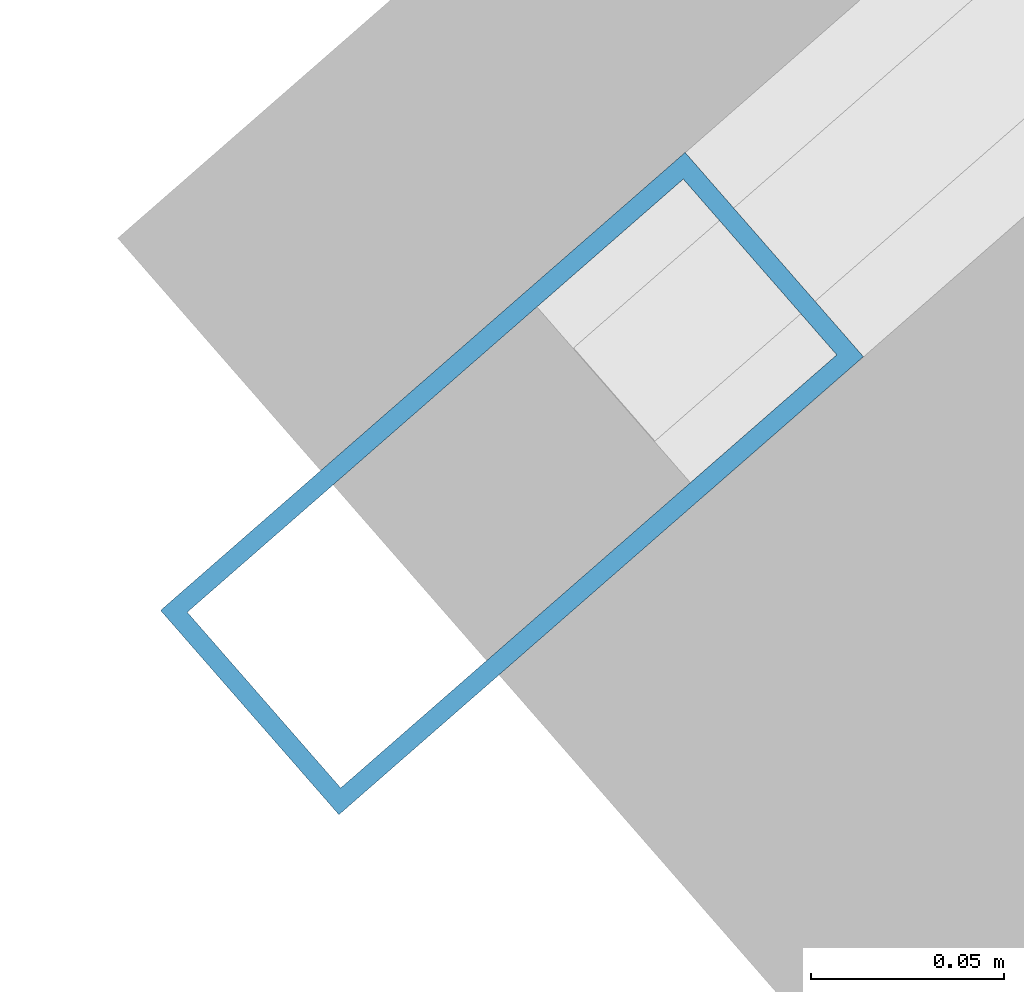
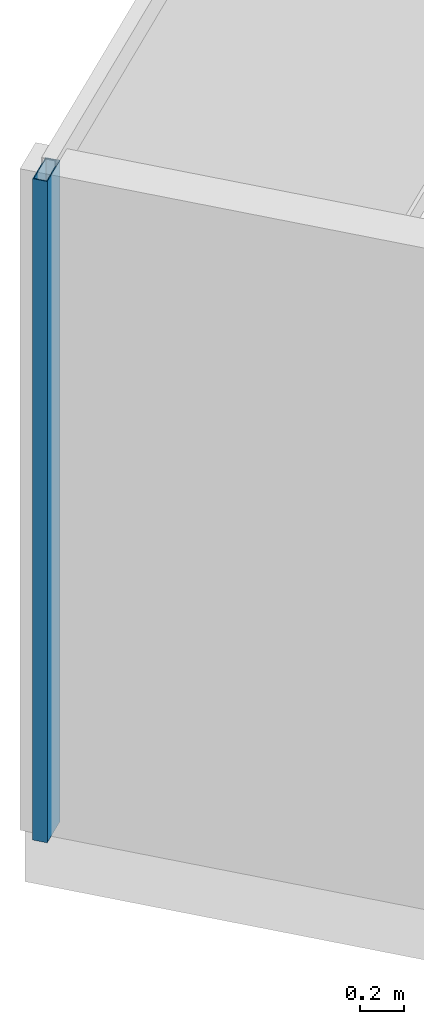
# One storey, part 7 of 24: 1 member, 1 element without a shape of its own.
"""IFC4 building model written with IfcOpenShell, lengths in metres."""

from ifc_helpers import new_model, si_unit, direction, frame, origin, origin_2d, place, context, subcontext, project, spatial, hollow_rectangle, extrude, source, transform, mapped, material, material_profile, profile_set, type_object, type_shapes, element, aggregate, save


model = new_model("IFC4")

# Units and contexts
model_context = context("Model", 3, precision=1e-05, world=origin(), true_north=direction((0.0, 1.0)))
body_context = subcontext(model_context, "Body", "Model", "MODEL_VIEW")
ifc_project = project(units=[si_unit("LENGTHUNIT", "METRE"), si_unit("AREAUNIT", "SQUARE_METRE"), si_unit("VOLUMEUNIT", "CUBIC_METRE"), si_unit("PLANEANGLEUNIT", "RADIAN"), si_unit("MASSUNIT", "GRAM", prefix="KILO")], contexts=[model_context])

# Site, building, storey
site_placement = place(None, origin())
site = spatial("IfcSite", under=ifc_project, at=site_placement, CompositionType="ELEMENT")
building_placement = place(site_placement, origin())
building = spatial("IfcBuilding", under=site, at=building_placement, Name="Krantzveldt Concourse Tower", CompositionType="ELEMENT")
storey_placement = place(building_placement, frame((0.0, 0.0, 250.75)))
storey = spatial("IfcBuildingStorey", under=building, at=storey_placement, Name="L61", CompositionType="ELEMENT", Elevation=250.75)

# Curtain wall, member
ifc_material = material(Name="Anodised aluminium 6063-T6", Category="aluminium")
curtain_wall_type = type_object("IfcCurtainWallType", Name="CW3", PredefinedType="USERDEFINED", material=ifc_material)
curtain_wall_placement = place(storey_placement, origin())
curtain_wall = element("IfcCurtainWall", 1, at=curtain_wall_placement, inside=storey, type_object=curtain_wall_type, Name="CW-L61-F01", ObjectType="UNITISED CURTAIN WALL", PredefinedType="USERDEFINED")
ifc_material_profile = material_profile(ifc_material, hollow_rectangle(XDim=0.070068359375, YDim=0.179931640625, WallThickness=0.0048828125, at=origin_2d()), Name="Anodised aluminium 6063-T6", Category="aluminium")
ifc_profile_set = profile_set([ifc_material_profile], Name="Anodised aluminium 6063-T6 - ALU-MULL 180x70x5")
member_type = type_object("IfcMemberType", Name="CW-MUL-180", PredefinedType="MULLION", material=ifc_profile_set)
shared_shape = source(origin(), body_context, "Body", "SweptSolid", [
    extrude(hollow_rectangle(XDim=0.070068359375, YDim=0.179931640625, WallThickness=0.0048828125, at=origin_2d()), origin(), (0.0, 0.0, 1.0), 3.669921875),
])
type_shapes(member_type, [shared_shape])
member_placement = place(storey_placement, frame((10.9267578125, 31.903076171875, 0.0), z_axis=(0.0, 0.0, 1.0), x_axis=(0.657703938567, -0.753276529034, 0.0)))
member = element("IfcMember", 2, at=member_placement, type_object=member_type, Name="CW-Z34 mullion 6", PredefinedType="MULLION", context=body_context, shape_type="MappedRepresentation", body=[
    mapped(shared_shape, transform((0.0, 0.0, 0.0), x_axis=(1.0, 0.0, 0.0), y_axis=(0.0, 1.0, 0.0), z_axis=(0.0, 0.0, 1.0), scale=1.0)),
])
aggregate(curtain_wall, [member])

save(model, "model.ifc")
